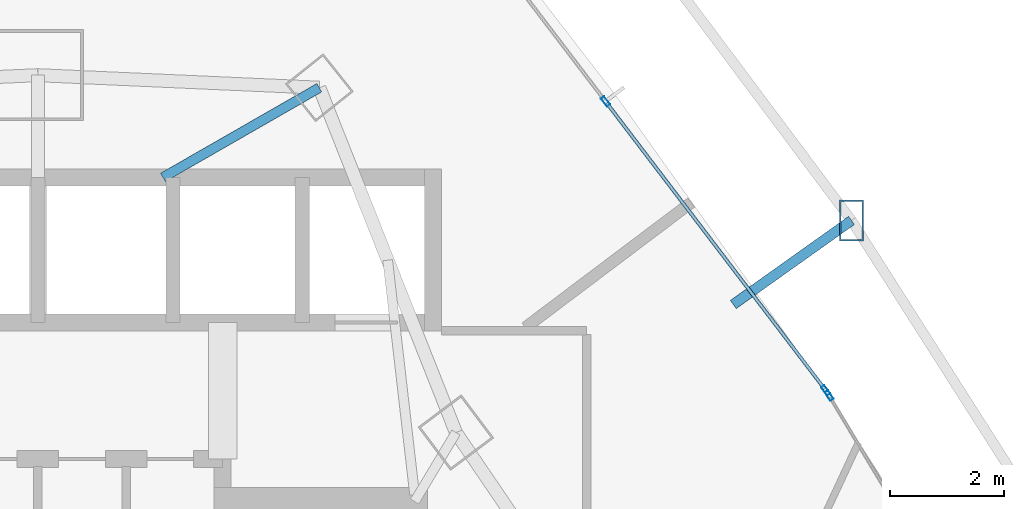
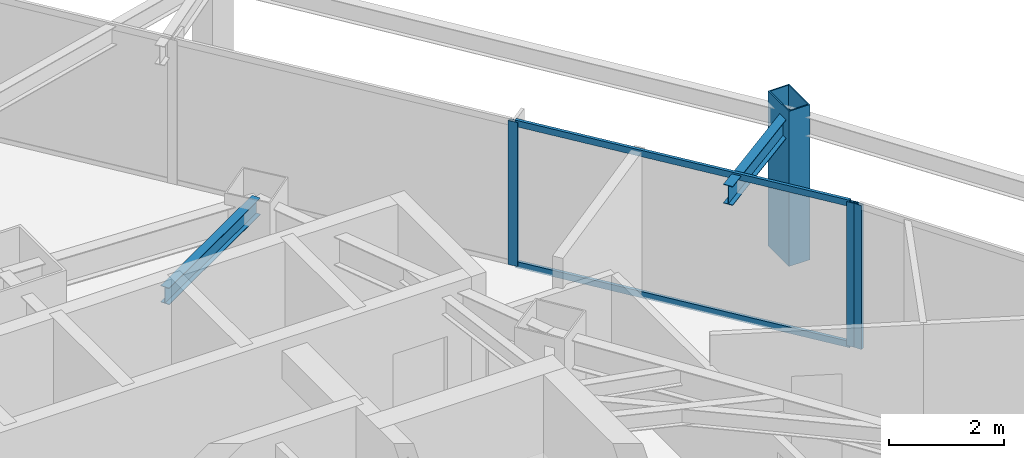
# One storey, part 29 of 38: 6 members, 2 beams, 2 elements without a shape of their own.
"""IFC4 building model written with IfcOpenShell, lengths in metres."""

from ifc_helpers import new_model, si_unit, direction, frame, origin, origin_2d, place, context, subcontext, project, spatial, hollow_rectangle, i_section, extrude, material, layer, layer_set, material_profile, profile_set, type_object, element, aggregate, save


model = new_model("IFC4")

# Units and contexts
model_context = context("Model", 3, precision=1e-05, world=origin(), true_north=direction((0.0, 1.0)))
body_context = subcontext(model_context, "Body", "Model", "MODEL_VIEW")
ifc_project = project(units=[si_unit("LENGTHUNIT", "METRE"), si_unit("AREAUNIT", "SQUARE_METRE"), si_unit("VOLUMEUNIT", "CUBIC_METRE"), si_unit("PLANEANGLEUNIT", "RADIAN"), si_unit("MASSUNIT", "GRAM", prefix="KILO")], contexts=[model_context])

# Site, building, storey
site_placement = place(None, origin())
site = spatial("IfcSite", under=ifc_project, at=site_placement, CompositionType="ELEMENT")
building_placement = place(site_placement, origin())
building = spatial("IfcBuilding", under=site, at=building_placement, Name="Orvanel Arch Residences", CompositionType="ELEMENT")
storey_placement = place(building_placement, frame((0.0, 0.0, 46.699951171875)))
storey = spatial("IfcBuildingStorey", under=building, at=storey_placement, Name="L12", CompositionType="ELEMENT", Elevation=46.699951171875)

# Beam
ifc_material_1 = material(Name="Structural steel AS/NZS 3679.1 Grade 300 (300 MPa)", Category="steel")
ifc_material_profile_1 = material_profile(ifc_material_1, i_section(OverallWidth=0.1708984375, OverallDepth=0.35595703125, WebThickness=0.00732421875, FlangeThickness=0.011474609375, at=origin_2d()), Name="360UB50.7")
ifc_profile_set_1 = profile_set([ifc_material_profile_1], Name="Structural steel AS/NZS 3679.1 Grade 300 (300 MPa)")
beam_type_1 = type_object("IfcBeamType", Name="BJ-360UB", PredefinedType="JOIST", material=ifc_profile_set_1)
beam_1_placement = place(storey_placement, frame((35.199951171875, 39.60009765625, 2.882080078125), z_axis=(0.86736513383, 0.497672306458, 0.0), x_axis=(-0.497672306458, 0.86736513383, 0.0)))
element("IfcBeam", 1, at=beam_1_placement, inside=storey, type_object=beam_type_1, Name="L12 MNE Wing Floor Joist", PredefinedType="JOIST", context=body_context, shape_type="SweptSolid", body=[
    extrude(i_section(OverallWidth=0.1708984375, OverallDepth=0.35595703125, WebThickness=0.00732421875, FlangeThickness=0.011474609375, at=origin_2d()), origin(), (0.0, 0.0, 1.0), 3.17041015625),
])

# Member
ifc_material_2 = material(Name="Structural steel AS/NZS 3678 Grade 350", Category="steel")
ifc_material_profile_2 = material_profile(ifc_material_2, hollow_rectangle(XDim=0.419921875, YDim=0.719970703125, WallThickness=0.02490234375, at=origin_2d()), Name="RHS720x420x25")
ifc_profile_set_2 = profile_set([ifc_material_profile_2], Name="Structural steel AS/NZS 3678 Grade 350")
member_type_1 = type_object("IfcMemberType", Name="CH-720RHS-EXT", PredefinedType="CHORD", material=ifc_profile_set_2)
member_1_placement = place(storey_placement, frame((47.30810546875, 38.843017578125, 0.0), z_axis=(0.0, 0.0, 1.0), x_axis=(1.0, 0.0, 0.0)))
element("IfcMember", 2, at=member_1_placement, inside=storey, type_object=member_type_1, Name="L12 Outer Perimeter Frame Post 11", PredefinedType="CHORD", context=body_context, shape_type="SweptSolid", body=[
    extrude(hollow_rectangle(XDim=0.419921875, YDim=0.719970703125, WallThickness=0.02490234375, at=origin_2d()), origin(), (0.0, 0.0, 1.0), 3.300048828125),
])

# Curtain wall, member
ifc_material_3 = material(Name="Bronze-anodised aluminium AA6063-T6", Category="aluminium")
ifc_layer = layer(ifc_material_3, 0.179931640625)
ifc_layer_set = layer_set([ifc_layer], Name="Bronze-anodised aluminium AA6063-T6")
curtain_wall_type = type_object("IfcCurtainWallType", Name="CW2-LOW-SYS", PredefinedType="NOTDEFINED", material=ifc_layer_set)
curtain_wall_1_placement = place(storey_placement, origin())
curtain_wall_1 = element("IfcCurtainWall", 3, at=curtain_wall_1_placement, inside=storey, type_object=curtain_wall_type, Name="L12 CW2-LOW-SYS Unitised Curtain Wall", PredefinedType="NOTDEFINED")
ifc_material_profile_3 = material_profile(ifc_material_3, hollow_rectangle(XDim=0.070068359375, YDim=0.179931640625, WallThickness=0.00439453125, at=origin_2d()), Name="ALU180x70x4.5")
ifc_profile_set_3 = profile_set([ifc_material_profile_3], Name="Bronze-anodised aluminium AA6063-T6")
member_type_2 = type_object("IfcMemberType", Name="MUL-180x70", PredefinedType="MULLION", material=ifc_profile_set_3)
member_2_placement = place(storey_placement, frame((46.916015625, 35.764892578125, 0.0), z_axis=(0.0, 0.0, 1.0), x_axis=(-0.857569020053, -0.514368910263, 0.0)))
member_2 = element("IfcMember", 4, at=member_2_placement, type_object=member_type_2, Name="CW-S2 mullion 3", PredefinedType="MULLION", context=body_context, shape_type="SweptSolid", body=[
    extrude(hollow_rectangle(XDim=0.070068359375, YDim=0.179931640625, WallThickness=0.00439453125, at=origin_2d()), origin(), (0.0, 0.0, 1.0), 3.06005859375),
])
aggregate(curtain_wall_1, [member_2])

# Curtain wall, members
curtain_wall_2_placement = place(storey_placement, origin())
curtain_wall_2 = element("IfcCurtainWall", 5, at=curtain_wall_2_placement, inside=storey, type_object=curtain_wall_type, Name="L12 CW2-LOW-SYS Unitised Curtain Wall", PredefinedType="NOTDEFINED")
member_3_placement = place(storey_placement, frame((46.854736328125, 35.85595703125, 0.0), z_axis=(0.0, 0.0, 1.0), x_axis=(-0.795336402585, -0.606168299009, 0.0)))
member_3 = element("IfcMember", 6, at=member_3_placement, type_object=member_type_2, Name="CW-S2 mullion 1", PredefinedType="MULLION", context=body_context, shape_type="SweptSolid", body=[
    extrude(hollow_rectangle(XDim=0.070068359375, YDim=0.179931640625, WallThickness=0.00439453125, at=origin_2d()), origin(), (0.0, 0.0, 1.0), 3.06005859375),
])
member_4_placement = place(storey_placement, frame((42.982666015625, 40.936279296875, 0.0), z_axis=(0.0, 0.0, 1.0), x_axis=(-0.795336402585, -0.606168299009, 0.0)))
member_4 = element("IfcMember", 7, at=member_4_placement, type_object=member_type_2, Name="CW-S2 mullion 2", PredefinedType="MULLION", context=body_context, shape_type="SweptSolid", body=[
    extrude(hollow_rectangle(XDim=0.070068359375, YDim=0.179931640625, WallThickness=0.00439453125, at=origin_2d()), origin(), (0.0, 0.0, 1.0), 3.06005859375),
])

# Beam
ifc_material_profile_4 = material_profile(ifc_material_1, i_section(OverallWidth=0.177978515625, OverallDepth=0.406005859375, WebThickness=0.0078125, FlangeThickness=0.0126953125, at=origin_2d()), Name="410UB59.7")
ifc_profile_set_4 = profile_set([ifc_material_profile_4], Name="Structural steel AS/NZS 3679.1 Grade 300 (300 MPa)")
beam_type_2 = type_object("IfcBeamType", Name="OB-410UB-EXT", PredefinedType="SPANDREL", material=ifc_profile_set_4)
beam_2_placement = place(storey_placement, frame((45.22998046875, 37.364990234375, 2.85693359375), z_axis=(0.81490910219, 0.579588781092, 0.0), x_axis=(-0.579588781092, 0.81490910219, 0.0)))
element("IfcBeam", 8, at=beam_2_placement, inside=storey, type_object=beam_type_2, Name="L12 Outer Frame Radial Tie Beam 11", PredefinedType="SPANDREL", context=body_context, shape_type="SweptSolid", body=[
    extrude(i_section(OverallWidth=0.177978515625, OverallDepth=0.406005859375, WebThickness=0.0078125, FlangeThickness=0.0126953125, at=origin_2d()), origin(), (0.0, 0.0, 1.0), 2.550048828125),
])

# Member
ifc_material_profile_5 = material_profile(ifc_material_3, hollow_rectangle(XDim=0.06005859375, YDim=0.135009765625, WallThickness=0.00390625, at=origin_2d()), Name="ALU135x60x4")
ifc_profile_set_5 = profile_set([ifc_material_profile_5], Name="Bronze-anodised aluminium AA6063-T6")
member_type_3 = type_object("IfcMemberType", Name="TRN-135x60", PredefinedType="USERDEFINED", material=ifc_profile_set_5)
member_5_placement = place(storey_placement, frame((46.83349609375, 35.8837890625, 0.030029296875), z_axis=(-0.606171281812, 0.795334129222, 0.0), x_axis=(-0.795334129222, -0.606171281812, 0.0)))
member_5 = element("IfcMember", 9, at=member_5_placement, type_object=member_type_3, Name="CW-S2 transom 1.1", ObjectType="TRANSOM", PredefinedType="USERDEFINED", context=body_context, shape_type="SweptSolid", body=[
    extrude(hollow_rectangle(XDim=0.06005859375, YDim=0.135009765625, WallThickness=0.00390625, at=origin_2d()), origin(), (0.0, 0.0, 1.0), 6.317626953125),
])

member_6_placement = place(storey_placement, frame((46.83349609375, 35.8837890625, 3.030029296875), z_axis=(-0.606171281812, 0.795334129222, 0.0), x_axis=(-0.795334129222, -0.606171281812, 0.0)))
member_6 = element("IfcMember", 10, at=member_6_placement, type_object=member_type_3, Name="CW-S2 transom 1.2", ObjectType="TRANSOM", PredefinedType="USERDEFINED", context=body_context, shape_type="SweptSolid", body=[
    extrude(hollow_rectangle(XDim=0.06005859375, YDim=0.135009765625, WallThickness=0.00390625, at=origin_2d()), origin(), (0.0, 0.0, 1.0), 6.317626953125),
])

aggregate(curtain_wall_2, [member_3, member_4, member_5, member_6])

save(model, "model.ifc")
